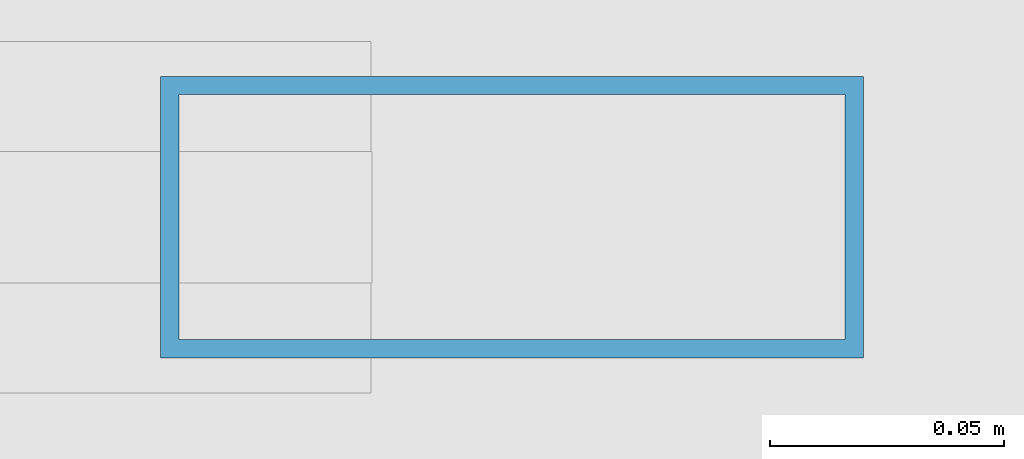
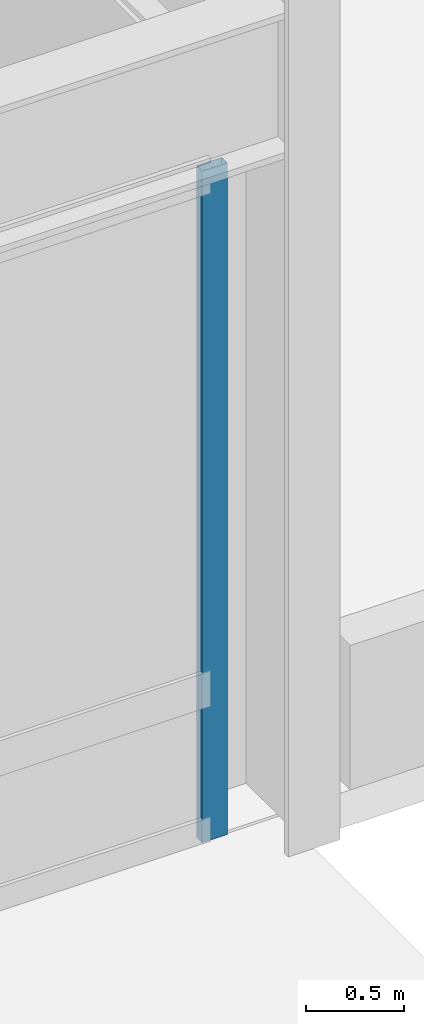
# One storey, part 102 of 143: 1 member, 1 element without a shape of its own.
"""IFC4 building model written with IfcOpenShell, lengths in metres."""

from ifc_helpers import new_model, si_unit, direction, frame, origin, origin_2d, place, context, subcontext, project, spatial, hollow_rectangle, extrude, material, layer, layer_set, material_profile, profile_set, type_object, element, aggregate, save


model = new_model("IFC4")

# Units and contexts
model_context = context("Model", 3, precision=1e-05, world=origin(), true_north=direction((0.0, 1.0)))
body_context = subcontext(model_context, "Body", "Model", "MODEL_VIEW")
ifc_project = project(units=[si_unit("LENGTHUNIT", "METRE"), si_unit("AREAUNIT", "SQUARE_METRE"), si_unit("VOLUMEUNIT", "CUBIC_METRE"), si_unit("PLANEANGLEUNIT", "RADIAN"), si_unit("MASSUNIT", "GRAM", prefix="KILO")], contexts=[model_context])

# Site, building, storey
site_placement = place(None, origin())
site = spatial("IfcSite", under=ifc_project, at=site_placement, CompositionType="ELEMENT")
building_placement = place(site_placement, origin())
building = spatial("IfcBuilding", under=site, at=building_placement, Name="Montelvaro Courts of Justice", CompositionType="ELEMENT")
storey_placement = place(building_placement, origin())
storey = spatial("IfcBuildingStorey", under=building, at=storey_placement, Name="L00", CompositionType="ELEMENT", Elevation=0.0)

# Curtain wall, member
ifc_material = material(Name="Anodised aluminium EN AW-6063", Category="aluminium")
ifc_layer = layer(ifc_material, 0.159912109375)
ifc_layer_set = layer_set([ifc_layer], Name="Anodised aluminium EN AW-6063")
curtain_wall_type = type_object("IfcCurtainWallType", Name="CurtainWall_01_827x508", PredefinedType="USERDEFINED", material=ifc_layer_set)
curtain_wall_placement = place(storey_placement, origin())
curtain_wall = element("IfcCurtainWall", 1, at=curtain_wall_placement, inside=storey, type_object=curtain_wall_type, Name="Curtain Wall CW-01 (L00)", ObjectType="CURTAIN WALL", PredefinedType="USERDEFINED")
ifc_material_profile = material_profile(ifc_material, hollow_rectangle(XDim=0.06005859375, YDim=0.14990234375, WallThickness=0.00390625, at=origin_2d()), Name="ALU-M 60x150")
ifc_profile_set = profile_set([ifc_material_profile], Name="Anodised aluminium EN AW-6063")
member_type = type_object("IfcMemberType", Name="CurtainWall_Mullion_60x150", PredefinedType="MULLION", material=ifc_profile_set)
member_placement = place(storey_placement, frame((161.60498046875, 78.0, 0.0), z_axis=(0.0, 0.0, 1.0), x_axis=(0.0, 1.0, 0.0)))
member = element("IfcMember", 2, at=member_placement, type_object=member_type, Name="CW-01 mullion 4", PredefinedType="MULLION", context=body_context, shape_type="SweptSolid", body=[
    extrude(hollow_rectangle(XDim=0.06005859375, YDim=0.14990234375, WallThickness=0.00390625, at=origin_2d()), origin(), (0.0, 0.0, 1.0), 4.18505859375),
])
aggregate(curtain_wall, [member])

save(model, "model.ifc")
